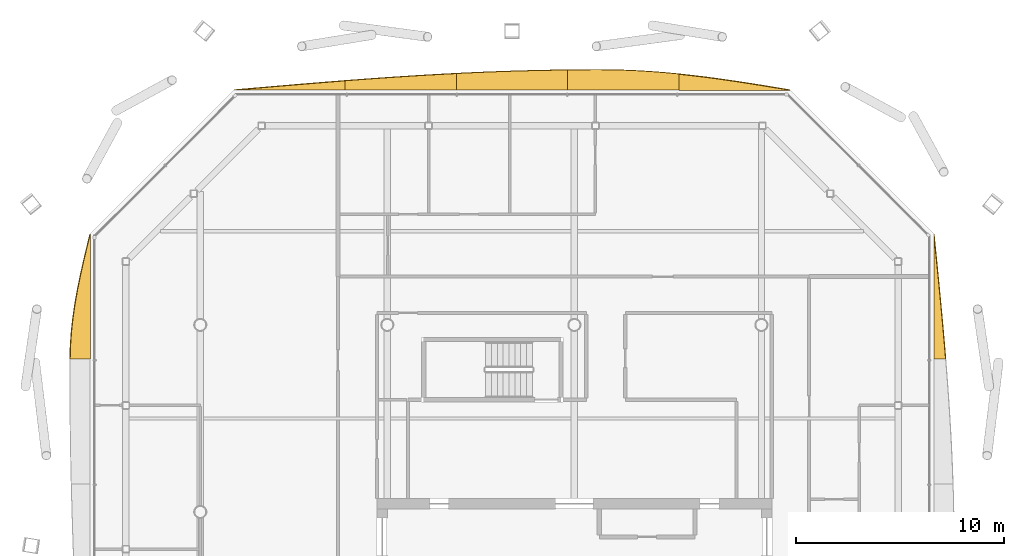
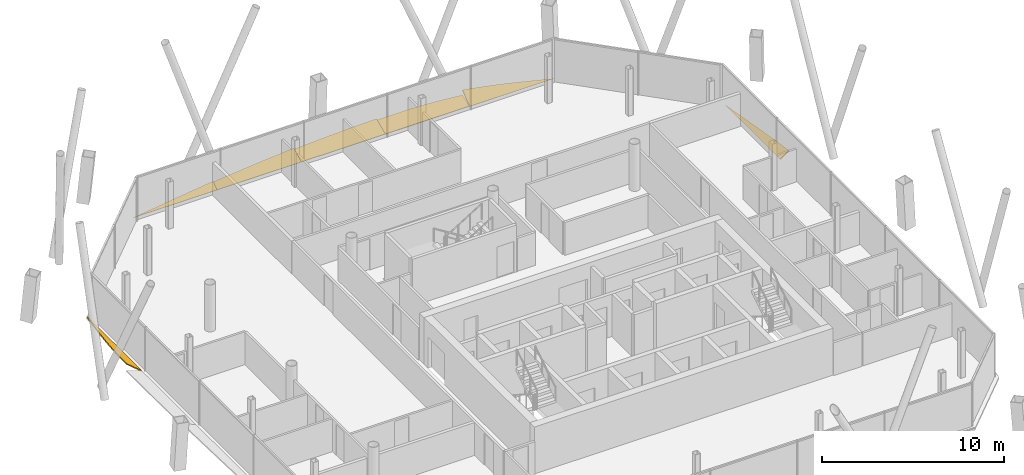
# One storey, part 19 of 19: 7 shading devices.
"""IFC4 building model written with IfcOpenShell, lengths in metres."""

from ifc_helpers import new_model, si_unit, direction, frame, origin, place, context, subcontext, project, spatial, polyline, outline, extrude, material, layer, layer_set, type_object, element, save


model = new_model("IFC4")

# Units and contexts
model_context = context("Model", 3, precision=1e-05, world=origin(), true_north=direction((0.0, 1.0)))
body_context = subcontext(model_context, "Body", "Model", "MODEL_VIEW")
ifc_project = project(units=[si_unit("LENGTHUNIT", "METRE"), si_unit("AREAUNIT", "SQUARE_METRE"), si_unit("VOLUMEUNIT", "CUBIC_METRE"), si_unit("PLANEANGLEUNIT", "RADIAN"), si_unit("MASSUNIT", "GRAM", prefix="KILO")], contexts=[model_context])

# Site, building, storey
site_placement = place(None, origin())
site = spatial("IfcSite", under=ifc_project, at=site_placement, CompositionType="ELEMENT")
building_placement = place(site_placement, origin())
building = spatial("IfcBuilding", under=site, at=building_placement, Name="Tskaro Facet Tower", CompositionType="ELEMENT")
storey_placement = place(building_placement, frame((0.0, 0.0, 191.10009765625)))
storey = spatial("IfcBuildingStorey", under=building, at=storey_placement, Name="L48", CompositionType="ELEMENT", Elevation=191.10009765625)

# Shading devices
ifc_material = material(Name="Bronze anodised aluminium 6063-T6", Category="aluminium")
ifc_layer = layer(ifc_material, 0.06005859375, Name="Bronze anodised aluminium 6063-T6")
ifc_layer_set = layer_set([ifc_layer], Name="Bronze anodised aluminium 6063-T6")
shading_device_type = type_object("IfcShadingDeviceType", Name="Bronze sun blade (FN1)", PredefinedType="USERDEFINED", material=ifc_layer_set)
shading_device_1_placement = place(storey_placement, frame((17.295654296875, 7.354736328125, 0.049072265625), z_axis=(-0.573585219897, 1.5524604e-05, 0.819145893767), x_axis=(8.904684e-06, 0.999999999879, -1.2716916e-05)))
element("IfcShadingDevice", 1, at=shading_device_1_placement, inside=storey, type_object=shading_device_type, Name="Fin blade east 5", ObjectType="FIN", PredefinedType="USERDEFINED", context=body_context, shape_type="SweptSolid", body=[
    extrude(outline(polyline([(0.0, 0.0), (6.019287108649636, 0.0), (5.350341793625455, -0.0814832009909004), (4.681640625435677, -0.1626863310736142), (4.01293945382863, -0.2431494653307513), (3.343994139110064, -0.322532581517724), (2.675292969670071, -0.4002155864817579), (2.006347656806007, -0.47593854209595743), (1.3376464848725265, -0.5495614129062293), (0.6689453120013859, -0.620544189877491), (-1.501664936267029e-09, -0.6885468507651553), (0.0, 0.0)])), origin(), (0.0, 0.0, -1.0), 0.06005859375),
])
shading_device_2_placement = place(storey_placement, frame((10.3740234375, 20.29150390625, 0.0458984375), z_axis=(-6.676631e-06, -0.642777078927, 0.766053279323), x_axis=(-0.999999999978, 4.291585e-06, -5.114655e-06)))
element("IfcShadingDevice", 2, at=shading_device_2_placement, inside=storey, type_object=shading_device_type, Name="Fin blade north 1", ObjectType="FIN", PredefinedType="USERDEFINED", context=body_context, shape_type="SweptSolid", body=[
    extrude(outline(polyline([(0.0, 0.0), (5.349609374880764, 0.0), (5.3496093751511244, -1.0016378452475776), (4.680908203034256, -0.9070164300570533), (4.012207030860172, -0.8006103320582373), (3.3435058590737907, -0.6836384341501002), (2.674804687718137, -0.5580075246799924), (2.0061035149416813, -0.42490638981827167), (1.337402344131647, -0.28645893936730266), (0.6687011721878092, -0.14401088749523158), (0.0, 0.0)])), origin(), (0.0, 0.0, -1.0), 0.06005859375),
])
shading_device_3_placement = place(storey_placement, frame((5.0244140625, 20.3095703125, 0.056396484375), z_axis=(-4.763813e-06, -0.341984665241, 0.939705532982), x_axis=(-0.999999999989, 1.629151e-06, -4.476582e-06)))
element("IfcShadingDevice", 3, at=shading_device_3_placement, inside=storey, type_object=shading_device_type, Name="Fin blade north 2", ObjectType="FIN", PredefinedType="USERDEFINED", context=body_context, shape_type="SweptSolid", body=[
    extrude(outline(polyline([(0.0, 0.0), (5.349609374939298, 0.0), (5.349609374999003, -1.0223299103900079), (4.680908203238901, -1.0288168489427483), (4.012207031374988, -1.0316744415999506), (3.8518066407518075, -1.0316744415999506), (3.343505859006023, -1.0278156754082717), (2.674804687515354, -1.0108995397611986), (2.006103515412323, -0.9807801067125038), (1.3374023438901554, -0.93814563715061), (0.6687011718559364, -0.88307962342543), (-1.9228183058872198e-10, -0.8165832390714408), (0.0, 0.0)])), origin(), (0.0, 0.0, -1.0), 0.06005859375),
])
shading_device_4_placement = place(storey_placement, frame((-0.3251953125, 20.3046875, 0.05419921875), z_axis=(-3.51916e-06, -0.4226762449, 0.90628074678), x_axis=(-0.999999999994, 1.487465e-06, -3.189347e-06)))
element("IfcShadingDevice", 4, at=shading_device_4_placement, inside=storey, type_object=shading_device_type, Name="Fin blade north 3", ObjectType="FIN", PredefinedType="USERDEFINED", context=body_context, shape_type="SweptSolid", body=[
    extrude(outline(polyline([(0.0, 0.0), (5.349609374966874, 0.0), (5.349609374826925, -0.87498886147179), (4.680908203031211, -0.9102686536514843), (4.0122070315495835, -0.9422741718002099), (3.3435058592402425, -0.9708873484126241), (2.674804687660486, -0.9959017986035207), (2.006103515253016, -1.017523907258106), (1.3374023435751308, -1.0355472894911735), (0.6687011722636799, -1.0497506853547773), (-2.3863546691429185e-10, -1.0603404797341243), (0.0, 0.0)])), origin(), (0.0, 0.0, -1.0), 0.06005859375),
])
shading_device_5_placement = place(storey_placement, frame((-5.6748046875, 20.300048828125, 0.0517578125), z_axis=(-4.817881e-06, -0.500095361613, 0.865970339717), x_axis=(-0.999999999988, 2.4094e-06, -4.172142e-06)))
element("IfcShadingDevice", 5, at=shading_device_5_placement, inside=storey, type_object=shading_device_type, Name="Fin blade north 4", ObjectType="FIN", PredefinedType="USERDEFINED", context=body_context, shape_type="SweptSolid", body=[
    extrude(outline(polyline([(0.0, 0.0), (5.349609374937913, -2.2656476977827428e-21), (5.349609374754258, -0.5159488571611264), (4.680908202420403, -0.5743637262328551), (4.0122070316501, -0.6308996160940229), (3.343505859660064, -0.6850443647188575), (2.6748046880571152, -0.7368872970531862), (2.0061035156647886, -0.786005576017064), (1.3374023435016746, -0.8322771080163458), (0.6687011715677726, -0.8757018930510314), (-2.947926863118107e-10, -0.9157350004470309), (0.0, 0.0)])), origin(), (0.0, 0.0, -1.0), 0.06005859375),
])
shading_device_6_placement = place(storey_placement, frame((-11.0244140625, 20.295654296875, 0.049072265625), z_axis=(4.911322e-06, -0.573499193828, 0.819206124644), x_axis=(-0.999999999988, -2.816639e-06, 4.023385e-06)))
element("IfcShadingDevice", 6, at=shading_device_6_placement, inside=storey, type_object=shading_device_type, Name="Fin blade north 5", ObjectType="FIN", PredefinedType="USERDEFINED", context=body_context, shape_type="SweptSolid", body=[
    extrude(outline(polyline([(0.0, 0.0), (5.349609374935481, -2.2656476977827428e-21), (4.68090820315117, -0.07064275334951296), (4.012207031366859, -0.14128550669902593), (3.343505859975588, -0.2113882426063653), (2.6748046870128146, -0.2806709321682914), (2.0061035158183933, -0.34901360129749015), (1.337402343445509, -0.4159962066391021), (0.6687011715640899, -0.48155876114947005), (-1.2047971422990152e-10, -0.5453612488816975), (0.0, 0.0)])), origin(), (0.0, 0.0, -1.0), 0.06005859375),
])
shading_device_7_placement = place(storey_placement, frame((-23.29150390625, 13.3740234375, 0.0458984375), z_axis=(0.642836891303, -7.445365e-06, 0.766003088195), x_axis=(-4.786156e-06, -0.999999999972, -5.703173e-06)))
element("IfcShadingDevice", 7, at=shading_device_7_placement, inside=storey, type_object=shading_device_type, Name="Fin blade west 1", ObjectType="FIN", PredefinedType="USERDEFINED", context=body_context, shape_type="SweptSolid", body=[
    extrude(outline(polyline([(0.0, 0.0), (6.0192871092081655, -2.549267250311862e-21), (6.019287109407509, -1.2643403960354656), (5.350341797134328, -1.2362695460059787), (4.681640625050299, -1.1731886047398425), (4.01293945302728, -1.0763164499291542), (3.343994141210101, -0.9484347920312362), (2.675292968162172, -0.7936710919236386), (2.006347656461053, -0.6160560076280697), (1.3376464839985114, -0.4207488652414672), (0.6689453116891978, -0.2133130856784762), (0.0, 0.0)])), origin(), (0.0, 0.0, -1.0), 0.06005859375),
])

save(model, "model.ifc")
